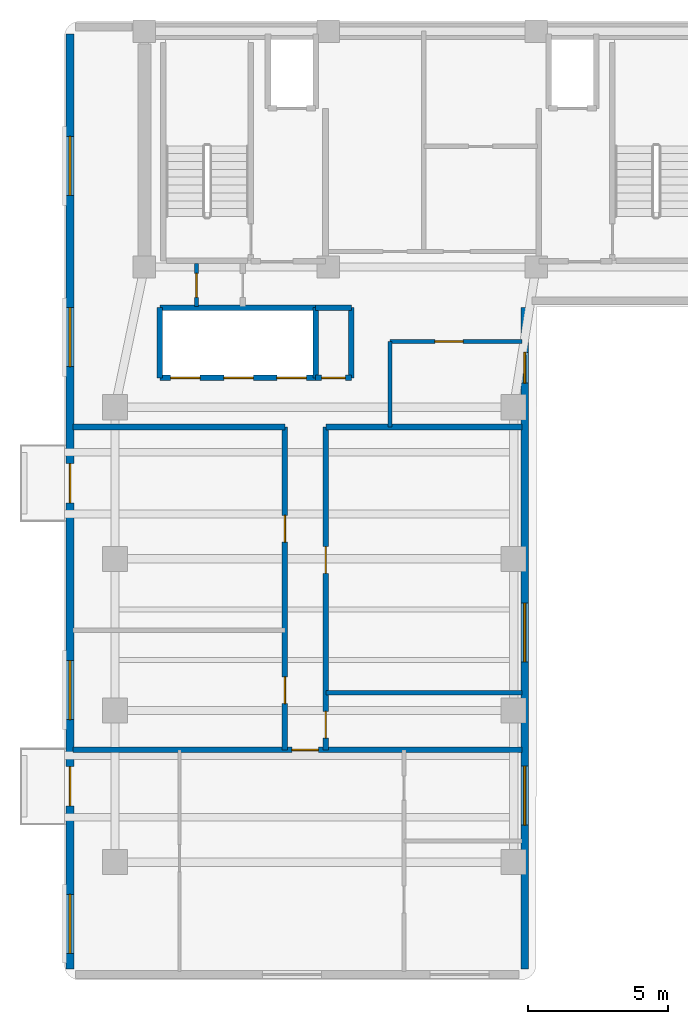
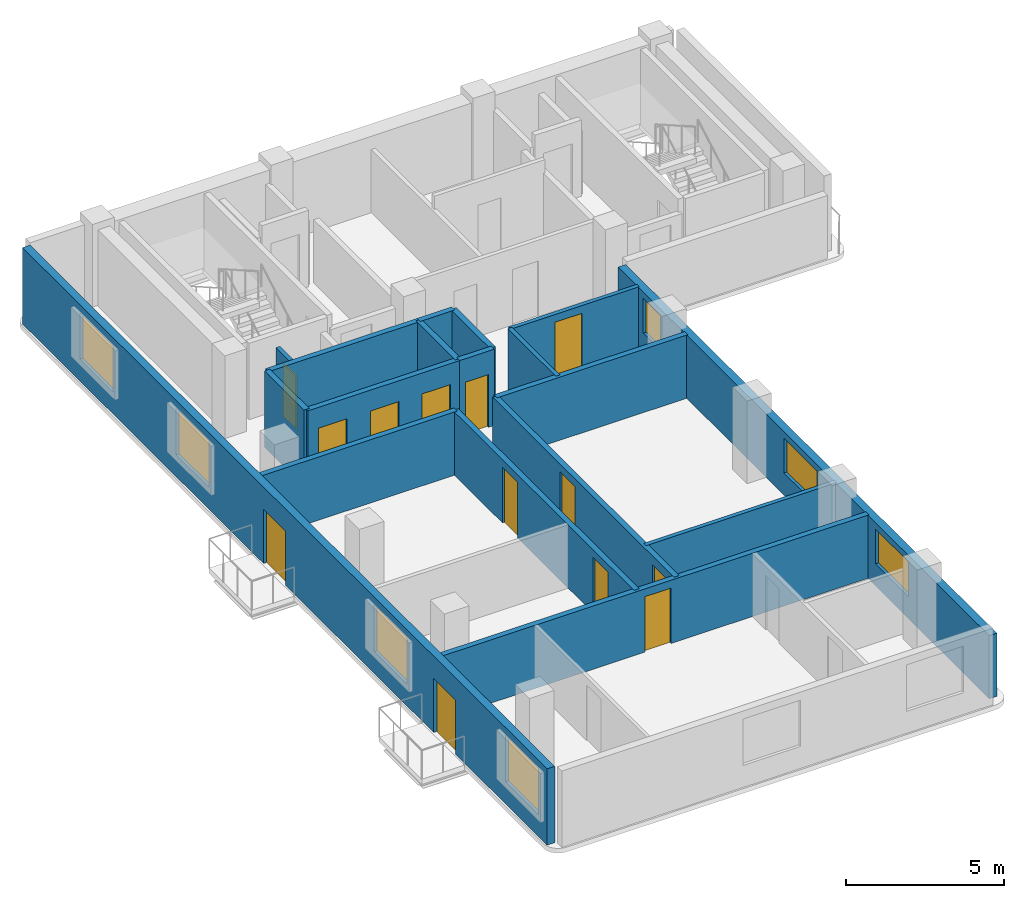
# One storey, part 2 of 5: 18 walls, 13 doors, 7 windows, 20 openings.
"""IFC4 building model written with IfcOpenShell, lengths in metres."""

from ifc_helpers import new_model, si_unit, direction, frame, frame_2d, origin, place, context, subcontext, project, spatial, rectangle, extrude, material, layer, layer_set, type_object, element, fill, save


model = new_model("IFC4")

# Units and contexts
model_context = context("Model", 3, precision=1e-05, world=origin(), true_north=direction((0.0, 1.0)))
body_context = subcontext(model_context, "Body", "Model", "MODEL_VIEW")
ifc_project = project(units=[si_unit("LENGTHUNIT", "METRE"), si_unit("AREAUNIT", "SQUARE_METRE"), si_unit("VOLUMEUNIT", "CUBIC_METRE"), si_unit("PLANEANGLEUNIT", "RADIAN"), si_unit("MASSUNIT", "GRAM", prefix="KILO")], contexts=[model_context])

# Site, building, storey
site_placement = place(None, origin())
site = spatial("IfcSite", under=ifc_project, at=site_placement, CompositionType="ELEMENT")
building_placement = place(site_placement, origin())
building = spatial("IfcBuilding", under=site, at=building_placement, Name="Kuzgunbayir Cultural Tower", CompositionType="ELEMENT")
storey_placement = place(building_placement, frame((0.0, 0.0, 211.199951171875)))
storey = spatial("IfcBuildingStorey", under=building, at=storey_placement, Name="L62", CompositionType="ELEMENT", Elevation=211.199951171875)

# Wall, openings, doors, windows
ifc_material_1 = material(Name="Anatolian Cream Limestone", Category="masonry")
ifc_layer_1 = layer(ifc_material_1, 0.280029296875)
ifc_layer_set_1 = layer_set([ifc_layer_1], Name="Anatolian Cream Limestone")
wall_type_1 = type_object("IfcWallType", Name="WAL-EXT-STONE-280", PredefinedType="STANDARD", material=ifc_layer_set_1)
wall_1_placement = place(storey_placement, frame((3.800048828125, 42.10009765625, 0.0), z_axis=(0.0, 0.0, 1.0), x_axis=(0.0, -1.0, 0.0)))
wall_1 = element("IfcWall", 1, at=wall_1_placement, inside=storey, type_object=wall_type_1, Name="L62 Wing A West Limestone Wall", PredefinedType="STANDARD", context=body_context, shape_type="SweptSolid", body=[
    extrude(rectangle(XDim=33.300048828125, YDim=0.280029296875, at=frame_2d((16.64990234375, 0.0))), origin(), (0.0, 0.0, 1.0), 2.9599609375),
])
opening_1_placement = place(wall_1_placement, frame((26.10009765625, 0.0, 0.0)))
opening_1 = element("IfcOpeningElement", 2, at=opening_1_placement, cuts=wall_1, Name="Opening BD-15", PredefinedType="OPENING", context=body_context, shape_type="SweptSolid", body=[
    extrude(rectangle(XDim=1.39990234375, YDim=2.10009765625, at=frame_2d((0.699951171875, 1.050048828125))), frame((0.0, 0.14990234375, 0.0), z_axis=(0.0, -1.0, 0.0), x_axis=(1.0, 0.0, 0.0)), (0.0, 0.0, 1.0), 0.300048828125),
])
opening_2_placement = place(wall_1_placement, frame((15.300048828125, 0.0, 0.0)))
opening_2 = element("IfcOpeningElement", 3, at=opening_2_placement, cuts=wall_1, Name="Opening BD-15", PredefinedType="OPENING", context=body_context, shape_type="SweptSolid", body=[
    extrude(rectangle(XDim=1.39990234375, YDim=2.10009765625, at=frame_2d((0.699951171875, 1.050048828125))), frame((0.0, 0.14990234375, 0.0), z_axis=(0.0, -1.0, 0.0), x_axis=(1.0, 0.0, 0.0)), (0.0, 0.0, 1.0), 0.300048828125),
])
opening_3_placement = place(wall_1_placement, frame((22.320068359375, 0.0, 0.85009765625)))
opening_3 = element("IfcOpeningElement", 4, at=opening_3_placement, cuts=wall_1, Name="Opening WR-21", PredefinedType="OPENING", context=body_context, shape_type="SweptSolid", body=[
    extrude(rectangle(XDim=2.10009765625, YDim=1.800048828125, at=frame_2d((1.050048828125, 0.89990234375))), frame((0.0, 0.14990234375, 0.0), z_axis=(0.0, -1.0, 0.0), x_axis=(1.0, 0.0, 0.0)), (0.0, 0.0, 1.0), 0.300048828125),
])
opening_4_placement = place(wall_1_placement, frame((30.64990234375, 0.0, 0.85009765625)))
opening_4 = element("IfcOpeningElement", 5, at=opening_4_placement, cuts=wall_1, Name="Opening WR-21", PredefinedType="OPENING", context=body_context, shape_type="SweptSolid", body=[
    extrude(rectangle(XDim=2.10009765625, YDim=1.800048828125, at=frame_2d((1.050048828125, 0.89990234375))), frame((0.0, 0.14990234375, 0.0), z_axis=(0.0, -1.0, 0.0), x_axis=(1.0, 0.0, 0.0)), (0.0, 0.0, 1.0), 0.300048828125),
])
opening_5_placement = place(wall_1_placement, frame((9.75, 0.0, 0.85009765625)))
opening_5 = element("IfcOpeningElement", 6, at=opening_5_placement, cuts=wall_1, Name="Opening WR-21", PredefinedType="OPENING", context=body_context, shape_type="SweptSolid", body=[
    extrude(rectangle(XDim=2.10009765625, YDim=1.800048828125, at=frame_2d((1.050048828125, 0.89990234375))), frame((0.0, 0.14990234375, 0.0), z_axis=(0.0, -1.0, 0.0), x_axis=(1.0, 0.0, 0.0)), (0.0, 0.0, 1.0), 0.300048828125),
])
opening_6_placement = place(wall_1_placement, frame((3.64990234375, 0.0, 0.85009765625)))
opening_6 = element("IfcOpeningElement", 7, at=opening_6_placement, cuts=wall_1, Name="Opening WR-21", PredefinedType="OPENING", context=body_context, shape_type="SweptSolid", body=[
    extrude(rectangle(XDim=2.10009765625, YDim=1.800048828125, at=frame_2d((1.050048828125, 0.89990234375))), frame((0.0, 0.14990234375, 0.0), z_axis=(0.0, -1.0, 0.0), x_axis=(1.0, 0.0, 0.0)), (0.0, 0.0, 1.0), 0.300048828125),
])
ifc_material_2 = material(Name="Thermally Broken Glazed Aluminium", Category="aluminium")
door_type_1 = type_object("IfcDoorType", Name="DR-BALCONY-150", OperationType="SLIDING_TO_RIGHT", PredefinedType="DOOR", material=ifc_material_2)
door_1_placement = place(opening_1_placement, origin())
door_1 = element("IfcDoor", 8, at=door_1_placement, inside=storey, type_object=door_type_1, Name="L62 West Balcony Sliding Door BAL-L62-WA1", OperationType="SLIDING_TO_RIGHT", OverallHeight=2.10009765625, OverallWidth=1.39990234375, PredefinedType="DOOR", context=body_context, shape_type="SweptSolid", body=[
    extrude(rectangle(XDim=1.39990234375, YDim=2.10009765625, at=frame_2d((0.699951171875, 1.050048828125))), frame((0.0, 0.02490234375, 0.0), z_axis=(0.0, -1.0, 0.0), x_axis=(1.0, 0.0, 0.0)), (0.0, 0.0, 1.0), 0.050048828125),
])
fill(opening_1, door_1)
door_2_placement = place(opening_2_placement, origin())
door_2 = element("IfcDoor", 9, at=door_2_placement, inside=storey, type_object=door_type_1, Name="L62 West Balcony Sliding Door BAL-L62-WA3", OperationType="SLIDING_TO_RIGHT", OverallHeight=2.10009765625, OverallWidth=1.39990234375, PredefinedType="DOOR", context=body_context, shape_type="SweptSolid", body=[
    extrude(rectangle(XDim=1.39990234375, YDim=2.10009765625, at=frame_2d((0.699951171875, 1.050048828125))), frame((0.0, 0.02490234375, 0.0), z_axis=(0.0, -1.0, 0.0), x_axis=(1.0, 0.0, 0.0)), (0.0, 0.0, 1.0), 0.050048828125),
])
fill(opening_2, door_2)
ifc_material_3 = material(Name="Solar-Control Triple Glazing", Category="glass")
window_type_1 = type_object("IfcWindowType", Name="WIN-RESID-21", PartitioningType="SINGLE_PANEL", PredefinedType="WINDOW", material=ifc_material_3)
window_1_placement = place(opening_3_placement, origin())
window_1 = element("IfcWindow", 10, at=window_1_placement, inside=storey, type_object=window_type_1, Name="L62 WAW Facade Window 5", OverallHeight=1.800048828125, OverallWidth=2.10009765625, PartitioningType="SINGLE_PANEL", PredefinedType="WINDOW", context=body_context, shape_type="SweptSolid", body=[
    extrude(rectangle(XDim=2.10009765625, YDim=1.800048828125, at=frame_2d((1.050048828125, 0.89990234375))), frame((0.0, 0.030029296875, 0.0), z_axis=(0.0, -1.0, 0.0), x_axis=(1.0, 0.0, 0.0)), (0.0, 0.0, 1.0), 0.06005859375),
])
fill(opening_3, window_1)
window_2_placement = place(opening_4_placement, origin())
window_2 = element("IfcWindow", 11, at=window_2_placement, inside=storey, type_object=window_type_1, Name="L62 WAW Facade Window 7", OverallHeight=1.800048828125, OverallWidth=2.10009765625, PartitioningType="SINGLE_PANEL", PredefinedType="WINDOW", context=body_context, shape_type="SweptSolid", body=[
    extrude(rectangle(XDim=2.10009765625, YDim=1.800048828125, at=frame_2d((1.050048828125, 0.89990234375))), frame((0.0, 0.030029296875, 0.0), z_axis=(0.0, -1.0, 0.0), x_axis=(1.0, 0.0, 0.0)), (0.0, 0.0, 1.0), 0.06005859375),
])
fill(opening_4, window_2)
window_3_placement = place(opening_5_placement, origin())
window_3 = element("IfcWindow", 12, at=window_3_placement, inside=storey, type_object=window_type_1, Name="L62 WAW Facade Window 8", OverallHeight=1.800048828125, OverallWidth=2.10009765625, PartitioningType="SINGLE_PANEL", PredefinedType="WINDOW", context=body_context, shape_type="SweptSolid", body=[
    extrude(rectangle(XDim=2.10009765625, YDim=1.800048828125, at=frame_2d((1.050048828125, 0.89990234375))), frame((0.0, 0.030029296875, 0.0), z_axis=(0.0, -1.0, 0.0), x_axis=(1.0, 0.0, 0.0)), (0.0, 0.0, 1.0), 0.06005859375),
])
fill(opening_5, window_3)
window_4_placement = place(opening_6_placement, origin())
window_4 = element("IfcWindow", 13, at=window_4_placement, inside=storey, type_object=window_type_1, Name="L62 WAW Facade Window 9", OverallHeight=1.800048828125, OverallWidth=2.10009765625, PartitioningType="SINGLE_PANEL", PredefinedType="WINDOW", context=body_context, shape_type="SweptSolid", body=[
    extrude(rectangle(XDim=2.10009765625, YDim=1.800048828125, at=frame_2d((1.050048828125, 0.89990234375))), frame((0.0, 0.030029296875, 0.0), z_axis=(0.0, -1.0, 0.0), x_axis=(1.0, 0.0, 0.0)), (0.0, 0.0, 1.0), 0.06005859375),
])
fill(opening_6, window_4)

# Wall, openings, windows
wall_2_placement = place(storey_placement, frame((20.0, 8.800048828125, 0.0), z_axis=(0.0, 0.0, 1.0), x_axis=(0.0, 1.0, 0.0)))
wall_2 = element("IfcWall", 14, at=wall_2_placement, inside=storey, type_object=wall_type_1, Name="L62 Wing A East Limestone Wall", PredefinedType="STANDARD", context=body_context, shape_type="SweptSolid", body=[
    extrude(rectangle(XDim=23.550048828125, YDim=0.280029296875, at=frame_2d((11.77490234375, 0.0))), origin(), (0.0, 0.0, 1.0), 2.449951171875),
])
opening_7_placement = place(wall_2_placement, frame((20.860107421875, 0.0, 0.85009765625)))
opening_7 = element("IfcOpeningElement", 15, at=opening_7_placement, cuts=wall_2, Name="Opening WN-11", PredefinedType="OPENING", context=body_context, shape_type="SweptSolid", body=[
    extrude(rectangle(XDim=1.10009765625, YDim=1.35009765625, at=frame_2d((0.550048828125, 0.675048828125))), frame((0.0, 0.14990234375, 0.0), z_axis=(0.0, -1.0, 0.0), x_axis=(1.0, 0.0, 0.0)), (0.0, 0.0, 1.0), 0.300048828125),
])
opening_8_placement = place(wall_2_placement, frame((5.1201171875, 0.0, 0.85009765625)))
opening_8 = element("IfcOpeningElement", 16, at=opening_8_placement, cuts=wall_2, Name="Opening WR-21", PredefinedType="OPENING", context=body_context, shape_type="SweptSolid", body=[
    extrude(rectangle(XDim=2.10009765625, YDim=1.35009765625, at=frame_2d((1.050048828125, 0.675048828125))), frame((0.0, 0.14990234375, 0.0), z_axis=(0.0, -1.0, 0.0), x_axis=(1.0, 0.0, 0.0)), (0.0, 0.0, 1.0), 0.300048828125),
])
opening_9_placement = place(wall_2_placement, frame((10.929931640625, 0.0, 0.85009765625)))
opening_9 = element("IfcOpeningElement", 17, at=opening_9_placement, cuts=wall_2, Name="Opening WR-21", PredefinedType="OPENING", context=body_context, shape_type="SweptSolid", body=[
    extrude(rectangle(XDim=2.10009765625, YDim=1.35009765625, at=frame_2d((1.050048828125, 0.675048828125))), frame((0.0, 0.14990234375, 0.0), z_axis=(0.0, -1.0, 0.0), x_axis=(1.0, 0.0, 0.0)), (0.0, 0.0, 1.0), 0.300048828125),
])
window_type_2 = type_object("IfcWindowType", Name="WIN-NARROW-11", PartitioningType="SINGLE_PANEL", PredefinedType="WINDOW", material=ifc_material_3)
window_5_placement = place(opening_7_placement, origin())
window_5 = element("IfcWindow", 18, at=window_5_placement, inside=storey, type_object=window_type_2, Name="L62 WAE Facade Window 1", OverallHeight=1.35009765625, OverallWidth=1.10009765625, PartitioningType="SINGLE_PANEL", PredefinedType="WINDOW", context=body_context, shape_type="SweptSolid", body=[
    extrude(rectangle(XDim=1.10009765625, YDim=1.35009765625, at=frame_2d((0.550048828125, 0.675048828125))), frame((0.0, 0.030029296875, 0.0), z_axis=(0.0, -1.0, 0.0), x_axis=(1.0, 0.0, 0.0)), (0.0, 0.0, 1.0), 0.06005859375),
])
fill(opening_7, window_5)
window_6_placement = place(opening_8_placement, origin())
window_6 = element("IfcWindow", 19, at=window_6_placement, inside=storey, type_object=window_type_1, Name="L62 WAE Facade Window 4", OverallHeight=1.35009765625, OverallWidth=2.10009765625, PartitioningType="SINGLE_PANEL", PredefinedType="WINDOW", context=body_context, shape_type="SweptSolid", body=[
    extrude(rectangle(XDim=2.10009765625, YDim=1.35009765625, at=frame_2d((1.050048828125, 0.675048828125))), frame((0.0, 0.030029296875, 0.0), z_axis=(0.0, -1.0, 0.0), x_axis=(1.0, 0.0, 0.0)), (0.0, 0.0, 1.0), 0.06005859375),
])
fill(opening_8, window_6)
window_7_placement = place(opening_9_placement, origin())
window_7 = element("IfcWindow", 20, at=window_7_placement, inside=storey, type_object=window_type_1, Name="L62 WAE Facade Window 6", OverallHeight=1.35009765625, OverallWidth=2.10009765625, PartitioningType="SINGLE_PANEL", PredefinedType="WINDOW", context=body_context, shape_type="SweptSolid", body=[
    extrude(rectangle(XDim=2.10009765625, YDim=1.35009765625, at=frame_2d((1.050048828125, 0.675048828125))), frame((0.0, 0.030029296875, 0.0), z_axis=(0.0, -1.0, 0.0), x_axis=(1.0, 0.0, 0.0)), (0.0, 0.0, 1.0), 0.06005859375),
])
fill(opening_9, window_7)

# Wall, opening, door
ifc_material_4 = material(Name="Acoustic Double-Stud Drywall", Category="gypsum")
ifc_layer_2 = layer(ifc_material_4, 0.14990234375)
ifc_layer_set_2 = layer_set([ifc_layer_2], Name="Acoustic Double-Stud Drywall")
wall_type_2 = type_object("IfcWallType", Name="WAL-PART-ACOUSTIC-150", PredefinedType="PARTITIONING", material=ifc_layer_set_2)
wall_3_placement = place(storey_placement, frame((8.300048828125, 32.39990234375, 0.0), z_axis=(0.0, 0.0, 1.0), x_axis=(0.0, 1.0, 0.0)))
wall_3 = element("IfcWall", 21, at=wall_3_placement, inside=storey, type_object=wall_type_2, Name="L62 West Core Closet Divider", PredefinedType="PARTITIONING", context=body_context, shape_type="SweptSolid", body=[
    extrude(rectangle(XDim=1.52001953125, YDim=0.14990234375, at=frame_2d((0.760009765625, 0.0))), origin(), (0.0, 0.0, 1.0), 2.449951171875),
])
opening_10_placement = place(wall_3_placement, frame((0.320068359375, 0.0, 0.0)))
opening_10 = element("IfcOpeningElement", 22, at=opening_10_placement, cuts=wall_3, Name="Opening DR-RSR-60", PredefinedType="OPENING", context=body_context, shape_type="SweptSolid", body=[
    extrude(rectangle(XDim=0.85009765625, YDim=2.050048828125, at=frame_2d((0.425048828125, 1.02490234375))), frame((0.0, 0.0849609375, 0.0), z_axis=(0.0, -1.0, 0.0), x_axis=(1.0, 0.0, 0.0)), (0.0, 0.0, 1.0), 0.169921875),
])
ifc_material_5 = material(Name="Steel Access Leaf", Category="steel")
door_type_2 = type_object("IfcDoorType", Name="DR-RISER-60", OperationType="NOTDEFINED", PredefinedType="DOOR", material=ifc_material_5)
door_3_placement = place(opening_10_placement, origin())
door_3 = element("IfcDoor", 23, at=door_3_placement, inside=storey, type_object=door_type_2, Name="L62 Sub-Meter Closet Door", OperationType="SINGLE_SWING_LEFT", OverallHeight=2.050048828125, OverallWidth=0.85009765625, PredefinedType="DOOR", context=body_context, shape_type="SweptSolid", body=[
    extrude(rectangle(XDim=0.85009765625, YDim=2.050048828125, at=frame_2d((0.425048828125, 1.02490234375))), frame((0.0, 0.02490234375, 0.0), z_axis=(0.0, -1.0, 0.0), x_axis=(1.0, 0.0, 0.0)), (0.0, 0.0, 1.0), 0.050048828125),
])
fill(opening_10, door_3)

wall_4_placement = place(storey_placement, frame((15.199951171875, 31.14990234375, 0.0), z_axis=(0.0, 0.0, 1.0), x_axis=(1.0, 0.0, 0.0)))
wall_4 = element("IfcWall", 24, at=wall_4_placement, inside=storey, type_object=wall_type_2, Name="L62 Central Sky Salon North Wall", PredefinedType="PARTITIONING", context=body_context, shape_type="SweptSolid", body=[
    extrude(rectangle(XDim=4.699951171875, YDim=0.14990234375, at=frame_2d((2.35009765625, 0.0))), origin(), (0.0, 0.0, 1.0), 2.449951171875),
])
opening_11_placement = place(wall_4_placement, frame((1.60009765625, 0.0, 0.0)))
opening_11 = element("IfcOpeningElement", 25, at=opening_11_placement, cuts=wall_4, Name="Opening DI-100", PredefinedType="OPENING", context=body_context, shape_type="SweptSolid", body=[
    extrude(rectangle(XDim=1.0, YDim=2.14990234375, at=frame_2d((0.5, 1.074951171875))), frame((0.0, 0.0849609375, 0.0), z_axis=(0.0, -1.0, 0.0), x_axis=(1.0, 0.0, 0.0)), (0.0, 0.0, 1.0), 0.169921875),
])
ifc_material_6 = material(Name="Veneered Oak Single Leaf", Category="wood")
door_type_3 = type_object("IfcDoorType", Name="DR-INT-100", OperationType="NOTDEFINED", PredefinedType="DOOR", material=ifc_material_6)
door_4_placement = place(opening_11_placement, origin())
door_4 = element("IfcDoor", 26, at=door_4_placement, inside=storey, type_object=door_type_3, Name="L62 Central Sky Salon Door", OperationType="SINGLE_SWING_RIGHT", OverallHeight=2.14990234375, OverallWidth=1.0, PredefinedType="DOOR", context=body_context, shape_type="SweptSolid", body=[
    extrude(rectangle(XDim=1.0, YDim=2.14990234375, at=frame_2d((0.5, 1.074951171875))), frame((0.0, 0.02490234375, 0.0), z_axis=(0.0, -1.0, 0.0), x_axis=(1.0, 0.0, 0.0)), (0.0, 0.0, 1.0), 0.050048828125),
])
fill(opening_11, door_4)

# Wall
wall_5_placement = place(storey_placement, frame((15.199951171875, 28.10009765625, 0.0), z_axis=(0.0, 0.0, 1.0), x_axis=(0.0, 1.0, 0.0)))
element("IfcWall", 27, at=wall_5_placement, inside=storey, type_object=wall_type_2, Name="L62 Central Sky Salon West Wall", PredefinedType="PARTITIONING", context=body_context, shape_type="SweptSolid", body=[
    extrude(rectangle(XDim=3.0498046875, YDim=0.14990234375, at=frame_2d((1.52490234375, 0.0))), origin(), (0.0, 0.0, 1.0), 2.449951171875),
])

# Wall, opening, door
ifc_material_7 = material(Name="Aerated Concrete Blockwork", Category="masonry")
ifc_layer_3 = layer(ifc_material_7, 0.199951171875)
ifc_layer_set_3 = layer_set([ifc_layer_3], Name="Aerated Concrete Blockwork")
wall_type_3 = type_object("IfcWallType", Name="WAL-PART-FIRE-200", PredefinedType="PARTITIONING", material=ifc_layer_set_3)
wall_6_placement = place(storey_placement, frame((12.550048828125, 29.85009765625, 0.0), z_axis=(0.0, 0.0, 1.0), x_axis=(1.0, 0.0, 0.0)))
wall_6 = element("IfcWall", 28, at=wall_6_placement, inside=storey, type_object=wall_type_3, Name="L62 Center Core Switchgear South Wall", PredefinedType="PARTITIONING", context=body_context, shape_type="SweptSolid", body=[
    extrude(rectangle(XDim=1.27001953125, YDim=0.199951171875, at=frame_2d((0.635009765625, 0.0))), origin(), (0.0, 0.0, 1.0), 2.9599609375),
])
opening_12_placement = place(wall_6_placement, frame((0.2099609375, 0.0, 0.0)))
opening_12 = element("IfcOpeningElement", 29, at=opening_12_placement, cuts=wall_6, Name="Opening DR-RSR-60", PredefinedType="OPENING", context=body_context, shape_type="SweptSolid", body=[
    extrude(rectangle(XDim=0.85009765625, YDim=2.050048828125, at=frame_2d((0.425048828125, 1.02490234375))), frame((0.0, 0.10986328125, 0.0), z_axis=(0.0, -1.0, 0.0), x_axis=(1.0, 0.0, 0.0)), (0.0, 0.0, 1.0), 0.219970703125),
])
door_5_placement = place(opening_12_placement, origin())
door_5 = element("IfcDoor", 30, at=door_5_placement, inside=storey, type_object=door_type_2, Name="L62 Telecom Closet Door", OperationType="SINGLE_SWING_RIGHT", OverallHeight=2.050048828125, OverallWidth=0.85009765625, PredefinedType="DOOR", context=body_context, shape_type="SweptSolid", body=[
    extrude(rectangle(XDim=0.85009765625, YDim=2.050048828125, at=frame_2d((0.425048828125, 1.02490234375))), frame((0.0, 0.02490234375, 0.0), z_axis=(0.0, -1.0, 0.0), x_axis=(1.0, 0.0, 0.0)), (0.0, 0.0, 1.0), 0.050048828125),
])
fill(opening_12, door_5)

# Walls
wall_7_placement = place(storey_placement, frame((13.820068359375, 29.85009765625, 0.0), z_axis=(0.0, 0.0, 1.0), x_axis=(0.0, 1.0, 0.0)))
element("IfcWall", 31, at=wall_7_placement, inside=storey, type_object=wall_type_3, Name="L62 Center Core Switchgear East Wall", PredefinedType="PARTITIONING", context=body_context, shape_type="SweptSolid", body=[
    extrude(rectangle(XDim=2.5, YDim=0.199951171875, at=frame_2d((1.25, 0.0))), origin(), (0.0, 0.0, 1.0), 2.9599609375),
])
wall_8_placement = place(storey_placement, frame((12.550048828125, 32.35009765625, 0.0), z_axis=(0.0, 0.0, 1.0), x_axis=(1.0, 0.0, 0.0)))
element("IfcWall", 32, at=wall_8_placement, inside=storey, type_object=wall_type_3, Name="L62 Center Core Switchgear North Wall", PredefinedType="PARTITIONING", context=body_context, shape_type="SweptSolid", body=[
    extrude(rectangle(XDim=1.27001953125, YDim=0.199951171875, at=frame_2d((0.635009765625, 0.0))), origin(), (0.0, 0.0, 1.0), 2.9599609375),
])

# Wall, openings, doors
wall_9_placement = place(storey_placement, frame((11.449951171875, 16.60009765625, 0.0), z_axis=(0.0, 0.0, 1.0), x_axis=(0.0, 1.0, 0.0)))
wall_9 = element("IfcWall", 33, at=wall_9_placement, inside=storey, type_object=wall_type_3, Name="L62 Wing A West Corridor Wall", PredefinedType="PARTITIONING", context=body_context, shape_type="SweptSolid", body=[
    extrude(rectangle(XDim=11.5, YDim=0.199951171875, at=frame_2d((5.75, 0.0))), origin(), (0.0, 0.0, 1.0), 2.449951171875),
])
opening_13_placement = place(wall_9_placement, frame((1.64990234375, 0.0, 0.0)))
opening_13 = element("IfcOpeningElement", 34, at=opening_13_placement, cuts=wall_9, Name="Opening DI-90", PredefinedType="OPENING", context=body_context, shape_type="SweptSolid", body=[
    extrude(rectangle(XDim=0.949951171875, YDim=2.14990234375, at=frame_2d((0.47509765625, 1.074951171875))), frame((0.0, 0.10986328125, 0.0), z_axis=(0.0, -1.0, 0.0), x_axis=(1.0, 0.0, 0.0)), (0.0, 0.0, 1.0), 0.219970703125),
])
opening_14_placement = place(wall_9_placement, frame((7.39990234375, 0.0, 0.0)))
opening_14 = element("IfcOpeningElement", 35, at=opening_14_placement, cuts=wall_9, Name="Opening DI-90", PredefinedType="OPENING", context=body_context, shape_type="SweptSolid", body=[
    extrude(rectangle(XDim=0.949951171875, YDim=2.14990234375, at=frame_2d((0.47509765625, 1.074951171875))), frame((0.0, 0.10986328125, 0.0), z_axis=(0.0, -1.0, 0.0), x_axis=(1.0, 0.0, 0.0)), (0.0, 0.0, 1.0), 0.219970703125),
])
door_type_4 = type_object("IfcDoorType", Name="DR-INT-90", OperationType="NOTDEFINED", PredefinedType="DOOR", material=ifc_material_6)
door_6_placement = place(opening_13_placement, origin())
door_6 = element("IfcDoor", 36, at=door_6_placement, inside=storey, type_object=door_type_4, Name="L62 Wellness Consultation Studio W1 Door", OperationType="SINGLE_SWING_LEFT", OverallHeight=2.14990234375, OverallWidth=0.949951171875, PredefinedType="DOOR", context=body_context, shape_type="SweptSolid", body=[
    extrude(rectangle(XDim=0.949951171875, YDim=2.14990234375, at=frame_2d((0.47509765625, 1.074951171875))), frame((0.0, 0.02490234375, 0.0), z_axis=(0.0, -1.0, 0.0), x_axis=(1.0, 0.0, 0.0)), (0.0, 0.0, 1.0), 0.050048828125),
])
fill(opening_13, door_6)
door_7_placement = place(opening_14_placement, origin())
door_7 = element("IfcDoor", 37, at=door_7_placement, inside=storey, type_object=door_type_4, Name="L62 Culinary Tasting Pantry W2 Door", OperationType="SINGLE_SWING_RIGHT", OverallHeight=2.14990234375, OverallWidth=0.949951171875, PredefinedType="DOOR", context=body_context, shape_type="SweptSolid", body=[
    extrude(rectangle(XDim=0.949951171875, YDim=2.14990234375, at=frame_2d((0.47509765625, 1.074951171875))), frame((0.0, 0.02490234375, 0.0), z_axis=(0.0, -1.0, 0.0), x_axis=(1.0, 0.0, 0.0)), (0.0, 0.0, 1.0), 0.050048828125),
])
fill(opening_14, door_7)

wall_10_placement = place(storey_placement, frame((12.909912109375, 16.60009765625, 0.0), z_axis=(0.0, 0.0, 1.0), x_axis=(0.0, 1.0, 0.0)))
wall_10 = element("IfcWall", 38, at=wall_10_placement, inside=storey, type_object=wall_type_3, Name="L62 Wing A East Corridor Wall", PredefinedType="PARTITIONING", context=body_context, shape_type="SweptSolid", body=[
    extrude(rectangle(XDim=11.5, YDim=0.199951171875, at=frame_2d((5.75, 0.0))), origin(), (0.0, 0.0, 1.0), 2.449951171875),
])
opening_15_placement = place(wall_10_placement, frame((0.419921875, 0.0, 0.0)))
opening_15 = element("IfcOpeningElement", 39, at=opening_15_placement, cuts=wall_10, Name="Opening DW-95", PredefinedType="OPENING", context=body_context, shape_type="SweptSolid", body=[
    extrude(rectangle(XDim=0.949951171875, YDim=2.10009765625, at=frame_2d((0.47509765625, 1.050048828125))), frame((0.0, 0.10986328125, 0.0), z_axis=(0.0, -1.0, 0.0), x_axis=(1.0, 0.0, 0.0)), (0.0, 0.0, 1.0), 0.219970703125),
])
opening_16_placement = place(wall_10_placement, frame((6.2900390625, 0.0, 0.0)))
opening_16 = element("IfcOpeningElement", 40, at=opening_16_placement, cuts=wall_10, Name="Opening DI-90", PredefinedType="OPENING", context=body_context, shape_type="SweptSolid", body=[
    extrude(rectangle(XDim=0.949951171875, YDim=2.14990234375, at=frame_2d((0.47509765625, 1.074951171875))), frame((0.0, 0.10986328125, 0.0), z_axis=(0.0, -1.0, 0.0), x_axis=(1.0, 0.0, 0.0)), (0.0, 0.0, 1.0), 0.219970703125),
])
door_8_placement = place(opening_16_placement, origin())
door_8 = element("IfcDoor", 41, at=door_8_placement, inside=storey, type_object=door_type_4, Name="L62 East Wellness Consultation Studio E1 Door", OperationType="SINGLE_SWING_RIGHT", OverallHeight=2.14990234375, OverallWidth=0.949951171875, PredefinedType="DOOR", context=body_context, shape_type="SweptSolid", body=[
    extrude(rectangle(XDim=0.949951171875, YDim=2.14990234375, at=frame_2d((0.47509765625, 1.074951171875))), frame((0.0, 0.02490234375, 0.0), z_axis=(0.0, -1.0, 0.0), x_axis=(1.0, 0.0, 0.0)), (0.0, 0.0, 1.0), 0.050048828125),
])
fill(opening_16, door_8)
ifc_material_8 = material(Name="Laminate Moisture-Resistant Leaf", Category="wood")
door_type_5 = type_object("IfcDoorType", Name="DR-WET-95", OperationType="NOTDEFINED", PredefinedType="DOOR", material=ifc_material_8)
door_9_placement = place(opening_15_placement, origin())
door_9 = element("IfcDoor", 42, at=door_9_placement, inside=storey, type_object=door_type_5, Name="L62 Visitor Accessible WC Door", OperationType="SINGLE_SWING_LEFT", OverallHeight=2.10009765625, OverallWidth=0.949951171875, PredefinedType="DOOR", context=body_context, shape_type="SweptSolid", body=[
    extrude(rectangle(XDim=0.949951171875, YDim=2.10009765625, at=frame_2d((0.47509765625, 1.050048828125))), frame((0.0, 0.02490234375, 0.0), z_axis=(0.0, -1.0, 0.0), x_axis=(1.0, 0.0, 0.0)), (0.0, 0.0, 1.0), 0.050048828125),
])
fill(opening_15, door_9)

# Wall, opening, door
wall_11_placement = place(storey_placement, frame((3.89990234375, 16.60009765625, 0.0), z_axis=(0.0, 0.0, 1.0), x_axis=(1.0, 0.0, 0.0)))
wall_11 = element("IfcWall", 43, at=wall_11_placement, inside=storey, type_object=wall_type_3, Name="L62 South Cross Partition", PredefinedType="PARTITIONING", context=body_context, shape_type="SweptSolid", body=[
    extrude(rectangle(XDim=16.0, YDim=0.199951171875, at=frame_2d((8.0, 0.0))), origin(), (0.0, 0.0, 1.0), 2.449951171875),
])
opening_17_placement = place(wall_11_placement, frame((7.800048828125, 0.0, 0.0)))
opening_17 = element("IfcOpeningElement", 44, at=opening_17_placement, cuts=wall_11, Name="Opening DR-APT-60", PredefinedType="OPENING", context=body_context, shape_type="SweptSolid", body=[
    extrude(rectangle(XDim=0.949951171875, YDim=2.14990234375, at=frame_2d((0.47509765625, 1.074951171875))), frame((0.0, 0.10986328125, 0.0), z_axis=(0.0, -1.0, 0.0), x_axis=(1.0, 0.0, 0.0)), (0.0, 0.0, 1.0), 0.219970703125),
])
ifc_material_9 = material(Name="Acoustic Fire Timber Leaf", Category="wood")
door_type_6 = type_object("IfcDoorType", Name="DR-APT-60", OperationType="NOTDEFINED", PredefinedType="DOOR", material=ifc_material_9)
door_10_placement = place(opening_17_placement, origin())
door_10 = element("IfcDoor", 45, at=door_10_placement, inside=storey, type_object=door_type_6, Name="L62 Apartment A Entrance", OperationType="SINGLE_SWING_LEFT", OverallHeight=2.14990234375, OverallWidth=0.949951171875, PredefinedType="DOOR", context=body_context, shape_type="SweptSolid", body=[
    extrude(rectangle(XDim=0.949951171875, YDim=2.14990234375, at=frame_2d((0.47509765625, 1.074951171875))), frame((0.0, 0.02490234375, 0.0), z_axis=(0.0, -1.0, 0.0), x_axis=(1.0, 0.0, 0.0)), (0.0, 0.0, 1.0), 0.050048828125),
])
fill(opening_17, door_10)

# Walls
wall_12_placement = place(storey_placement, frame((3.89990234375, 28.10009765625, 0.0), z_axis=(0.0, 0.0, 1.0), x_axis=(1.0, 0.0, 0.0)))
element("IfcWall", 46, at=wall_12_placement, inside=storey, type_object=wall_type_3, Name="L62 North West Partition", PredefinedType="PARTITIONING", context=body_context, shape_type="SweptSolid", body=[
    extrude(rectangle(XDim=7.550048828125, YDim=0.199951171875, at=frame_2d((3.77490234375, 0.0))), origin(), (0.0, 0.0, 1.0), 2.449951171875),
])
wall_13_placement = place(storey_placement, frame((12.909912109375, 28.10009765625, 0.0), z_axis=(0.0, 0.0, 1.0), x_axis=(1.0, 0.0, 0.0)))
element("IfcWall", 47, at=wall_13_placement, inside=storey, type_object=wall_type_3, Name="L62 North East Partition", PredefinedType="PARTITIONING", context=body_context, shape_type="SweptSolid", body=[
    extrude(rectangle(XDim=6.989990234375, YDim=0.199951171875, at=frame_2d((3.4951171875, 0.0))), origin(), (0.0, 0.0, 1.0), 2.449951171875),
])
ifc_material_10 = material(Name="Moisture-Resistant Tile Partition", Category="gypsum")
ifc_layer_4 = layer(ifc_material_10, 0.14990234375)
ifc_layer_set_4 = layer_set([ifc_layer_4], Name="Moisture-Resistant Tile Partition")
wall_type_4 = type_object("IfcWallType", Name="WAL-PART-WET-150", PredefinedType="PARTITIONING", material=ifc_layer_set_4)
wall_14_placement = place(storey_placement, frame((12.909912109375, 18.6298828125, 0.0), z_axis=(0.0, 0.0, 1.0), x_axis=(1.0, 0.0, 0.0)))
element("IfcWall", 48, at=wall_14_placement, inside=storey, type_object=wall_type_4, Name="L62 East Accessible WC Wall", PredefinedType="PARTITIONING", context=body_context, shape_type="SweptSolid", body=[
    extrude(rectangle(XDim=6.989990234375, YDim=0.14990234375, at=frame_2d((3.4951171875, 0.0))), origin(), (0.0, 0.0, 1.0), 2.449951171875),
])

# Wall, openings, doors
ifc_material_11 = material(Name="Concrete C40/50", Category="concrete")
ifc_layer_5 = layer(ifc_material_11, 0.199951171875)
ifc_layer_set_5 = layer_set([ifc_layer_5], Name="Concrete C40/50")
wall_type_5 = type_object("IfcWallType", Name="WAL-SHAFT-200", PredefinedType="MOVABLE", material=ifc_layer_set_5)
wall_15_placement = place(storey_placement, frame((7.0, 29.85009765625, 0.0), z_axis=(0.0, 0.0, 1.0), x_axis=(1.0, 0.0, 0.0)))
wall_15 = element("IfcWall", 49, at=wall_15_placement, inside=storey, type_object=wall_type_5, Name="L62 High-Rise Lift Shaft South Wall", PredefinedType="MOVABLE", context=body_context, shape_type="SweptSolid", body=[
    extrude(rectangle(XDim=5.550048828125, YDim=0.199951171875, at=frame_2d((2.77490234375, 0.0))), origin(), (0.0, 0.0, 1.0), 2.9599609375),
])
opening_18_placement = place(wall_15_placement, frame((0.3798828125, 0.0, 0.0)))
opening_18 = element("IfcOpeningElement", 50, at=opening_18_placement, cuts=wall_15, Name="Opening LD", PredefinedType="OPENING", context=body_context, shape_type="SweptSolid", body=[
    extrude(rectangle(XDim=1.050048828125, YDim=2.14990234375, at=frame_2d((0.52490234375, 1.074951171875))), frame((0.0, 0.10986328125, 0.0), z_axis=(0.0, -1.0, 0.0), x_axis=(1.0, 0.0, 0.0)), (0.0, 0.0, 1.0), 0.219970703125),
])
opening_19_placement = place(wall_15_placement, frame((2.280029296875, 0.0, 0.0)))
opening_19 = element("IfcOpeningElement", 51, at=opening_19_placement, cuts=wall_15, Name="Opening LD", PredefinedType="OPENING", context=body_context, shape_type="SweptSolid", body=[
    extrude(rectangle(XDim=1.050048828125, YDim=2.14990234375, at=frame_2d((0.52490234375, 1.074951171875))), frame((0.0, 0.10986328125, 0.0), z_axis=(0.0, -1.0, 0.0), x_axis=(1.0, 0.0, 0.0)), (0.0, 0.0, 1.0), 0.219970703125),
])
opening_20_placement = place(wall_15_placement, frame((4.169921875, 0.0, 0.0)))
opening_20 = element("IfcOpeningElement", 52, at=opening_20_placement, cuts=wall_15, Name="Opening LD", PredefinedType="OPENING", context=body_context, shape_type="SweptSolid", body=[
    extrude(rectangle(XDim=1.050048828125, YDim=2.14990234375, at=frame_2d((0.52490234375, 1.074951171875))), frame((0.0, 0.10986328125, 0.0), z_axis=(0.0, -1.0, 0.0), x_axis=(1.0, 0.0, 0.0)), (0.0, 0.0, 1.0), 0.219970703125),
])
ifc_material_12 = material(Name="Brushed Stainless Steel", Category="steel")
door_type_7 = type_object("IfcDoorType", Name="DR-LIFT-LANDING", OperationType="SLIDING_TO_LEFT", PredefinedType="DOOR", material=ifc_material_12)
door_11_placement = place(opening_18_placement, origin())
door_11 = element("IfcDoor", 53, at=door_11_placement, inside=storey, type_object=door_type_7, Name="L62 Lift PH-1 Landing Door", OperationType="SLIDING_TO_LEFT", OverallHeight=2.14990234375, OverallWidth=1.050048828125, PredefinedType="DOOR", context=body_context, shape_type="SweptSolid", body=[
    extrude(rectangle(XDim=1.050048828125, YDim=2.14990234375, at=frame_2d((0.52490234375, 1.074951171875))), frame((0.0, 0.02490234375, 0.0), z_axis=(0.0, -1.0, 0.0), x_axis=(1.0, 0.0, 0.0)), (0.0, 0.0, 1.0), 0.050048828125),
])
fill(opening_18, door_11)
door_12_placement = place(opening_19_placement, origin())
door_12 = element("IfcDoor", 54, at=door_12_placement, inside=storey, type_object=door_type_7, Name="L62 Lift PH-2 Landing Door", OperationType="SLIDING_TO_LEFT", OverallHeight=2.14990234375, OverallWidth=1.050048828125, PredefinedType="DOOR", context=body_context, shape_type="SweptSolid", body=[
    extrude(rectangle(XDim=1.050048828125, YDim=2.14990234375, at=frame_2d((0.52490234375, 1.074951171875))), frame((0.0, 0.02490234375, 0.0), z_axis=(0.0, -1.0, 0.0), x_axis=(1.0, 0.0, 0.0)), (0.0, 0.0, 1.0), 0.050048828125),
])
fill(opening_19, door_12)
door_13_placement = place(opening_20_placement, origin())
door_13 = element("IfcDoor", 55, at=door_13_placement, inside=storey, type_object=door_type_7, Name="L62 Lift PH-3 Landing Door", OperationType="SLIDING_TO_LEFT", OverallHeight=2.14990234375, OverallWidth=1.050048828125, PredefinedType="DOOR", context=body_context, shape_type="SweptSolid", body=[
    extrude(rectangle(XDim=1.050048828125, YDim=2.14990234375, at=frame_2d((0.52490234375, 1.074951171875))), frame((0.0, 0.02490234375, 0.0), z_axis=(0.0, -1.0, 0.0), x_axis=(1.0, 0.0, 0.0)), (0.0, 0.0, 1.0), 0.050048828125),
])
fill(opening_20, door_13)

# Walls
wall_16_placement = place(storey_placement, frame((7.0, 32.35009765625, 0.0), z_axis=(0.0, 0.0, 1.0), x_axis=(1.0, 0.0, 0.0)))
element("IfcWall", 56, at=wall_16_placement, inside=storey, type_object=wall_type_5, Name="L62 High-Rise Lift Shaft North Wall", PredefinedType="MOVABLE", context=body_context, shape_type="SweptSolid", body=[
    extrude(rectangle(XDim=5.550048828125, YDim=0.199951171875, at=frame_2d((2.77490234375, 0.0))), origin(), (0.0, 0.0, 1.0), 2.9599609375),
])
for number, where, z_axis, x_axis, name in (
    (57, (7.0, 29.85009765625, 0.0), (0.0, 0.0, 1.0), (0.0, 1.0, 0.0), "L62 High-Rise Lift Shaft West Wall"),
    (58, (12.550048828125, 29.85009765625, 0.0), (0.0, 0.0, 1.0), (0.0, 1.0, 0.0), "L62 High-Rise Lift Shaft East Wall"),
):
    element("IfcWall", number, at=place(storey_placement, frame(where, z_axis=z_axis, x_axis=x_axis)), inside=storey, type_object=wall_type_5, Name=name, PredefinedType="MOVABLE", context=body_context, shape_type="SweptSolid", body=[
        extrude(rectangle(XDim=2.5, YDim=0.199951171875, at=frame_2d((1.25, 0.0))), origin(), (0.0, 0.0, 1.0), 2.9599609375),
    ])

save(model, "model.ifc")
